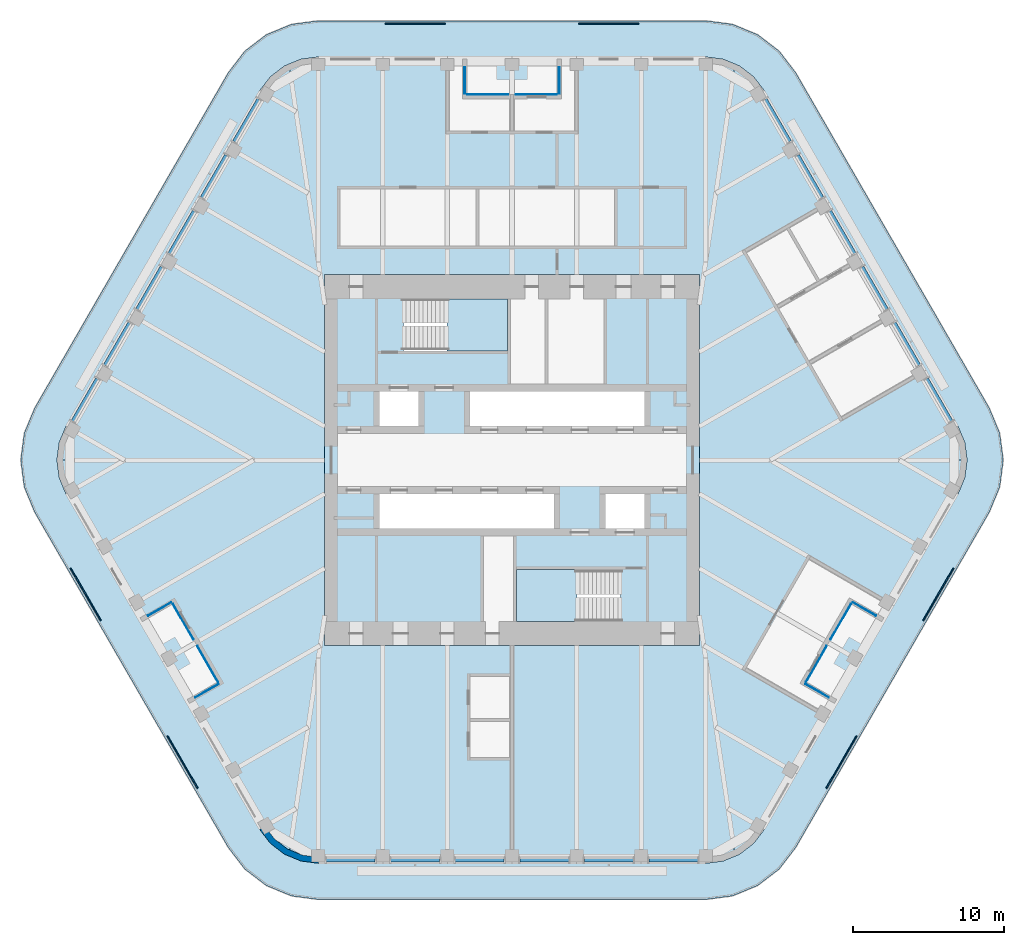
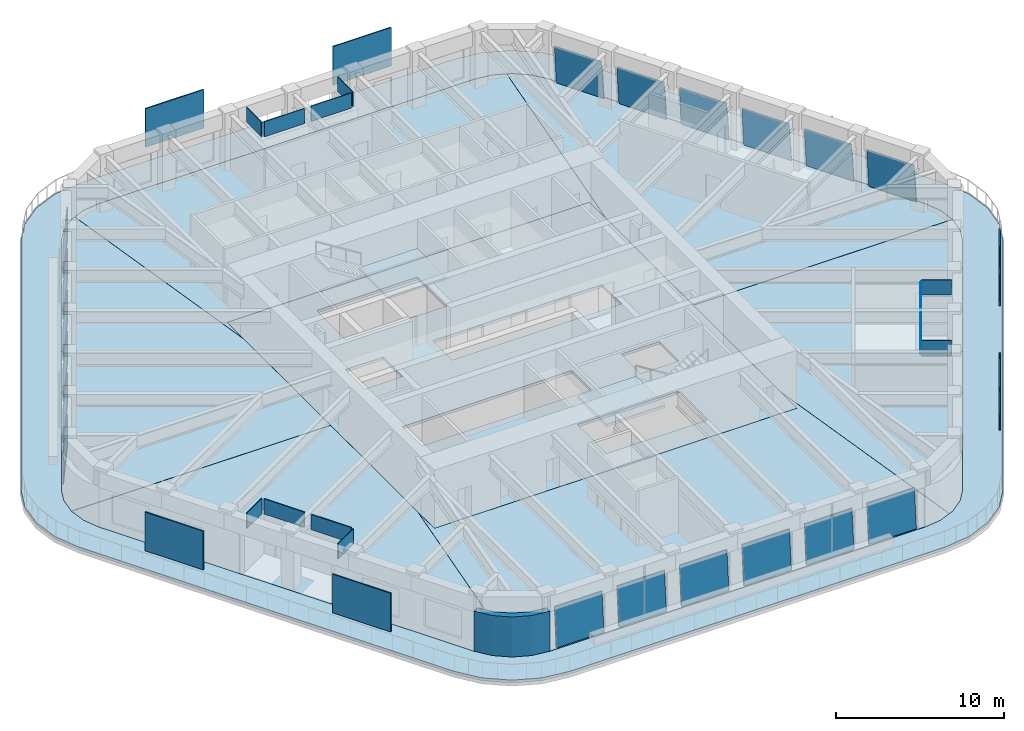
# One storey, part 12 of 19: 36 plates, 10 slabs, 1 wall, 20 elements without a shape of their own.
"""IFC4 building model written with IfcOpenShell, lengths in metres."""

from ifc_helpers import new_model, si_unit, direction, frame, origin, origin_2d, place, context, subcontext, project, spatial, polyline, rectangle, outline, extrude, material, layer, layer_set, type_object, element, aggregate, save


model = new_model("IFC4")

# Units and contexts
model_context = context("Model", 3, precision=1e-05, world=origin(), true_north=direction((0.0, 1.0)))
body_context = subcontext(model_context, "Body", "Model", "MODEL_VIEW")
ifc_project = project(units=[si_unit("LENGTHUNIT", "METRE"), si_unit("AREAUNIT", "SQUARE_METRE"), si_unit("VOLUMEUNIT", "CUBIC_METRE"), si_unit("PLANEANGLEUNIT", "RADIAN"), si_unit("MASSUNIT", "GRAM", prefix="KILO")], contexts=[model_context])

# Site, building, storey
site_placement = place(None, origin())
site = spatial("IfcSite", under=ifc_project, at=site_placement, CompositionType="ELEMENT")
building_placement = place(site_placement, origin())
building = spatial("IfcBuilding", under=site, at=building_placement, Name="Tarfa Lantern Tower", CompositionType="ELEMENT")
storey_placement = place(building_placement, frame((0.0, 0.0, 370.300048828125)))
storey = spatial("IfcBuildingStorey", under=building, at=storey_placement, Name="L84", CompositionType="ELEMENT", Elevation=370.300048828125)

# Slab
ifc_material_1 = material(Name="Concrete C40/50", Category="concrete")
ifc_layer_1 = layer(ifc_material_1, 0.199951171875)
ifc_layer_set_1 = layer_set([ifc_layer_1], Name="BS2 BALCONY SLAB 200")
slab_type_1 = type_object("IfcSlabType", Name="BS2 BALCONY SLAB 200", PredefinedType="FLOOR", material=ifc_layer_set_1)
slab_1_placement = place(storey_placement, frame((0.0, 0.0, -0.199951171875)))
element("IfcSlab", 1, at=slab_1_placement, inside=storey, type_object=slab_type_1, Name="Balcony L84", PredefinedType="FLOOR", context=body_context, shape_type="SweptSolid", body=[
    extrude(outline(polyline([(31.667724609375, 3.449951171875), (18.821533203125, 25.699951171875), (17.72509765625, 27.129150390625), (16.296142578125, 28.2255859375), (14.6318359375, 28.914794921875), (12.845947265625, 29.14990234375), (-12.845947265625, 29.14990234375), (-14.6318359375, 28.914794921875), (-16.296142578125, 28.2255859375), (-17.72509765625, 27.129150390625), (-18.821533203125, 25.699951171875), (-31.667724609375, 3.449951171875), (-32.35693359375, 1.785888671875), (-32.592041015625, 0.0), (-32.35693359375, -1.785888671875), (-31.667724609375, -3.449951171875), (-18.821533203125, -25.699951171875), (-17.72509765625, -27.129150390625), (-16.296142578125, -28.2255859375), (-14.6318359375, -28.914794921875), (-12.845947265625, -29.14990234375), (12.845947265625, -29.14990234375), (14.6318359375, -28.914794921875), (16.296142578125, -28.2255859375), (17.72509765625, -27.129150390625), (18.821533203125, -25.699951171875), (31.667724609375, -3.449951171875), (32.35693359375, -1.785888671875), (32.592041015625, 0.0), (32.35693359375, 1.785888671875), (31.667724609375, 3.449951171875)]), holes=[polyline([(29.589111328125, 2.25), (16.7431640625, 24.5), (16.028076171875, 25.431884765625), (15.095947265625, 26.147216796875), (14.0107421875, 26.5966796875), (12.845947265625, 26.75), (-12.845947265625, 26.75), (-14.0107421875, 26.5966796875), (-15.095947265625, 26.147216796875), (-16.028076171875, 25.431884765625), (-16.7431640625, 24.5), (-29.589111328125, 2.25), (-30.038818359375, 1.164794921875), (-30.192138671875, 0.0), (-30.038818359375, -1.164794921875), (-29.589111328125, -2.25), (-16.7431640625, -24.5), (-16.028076171875, -25.431884765625), (-15.095947265625, -26.147216796875), (-14.0107421875, -26.5966796875), (-12.845947265625, -26.75), (12.845947265625, -26.75), (14.0107421875, -26.5966796875), (15.095947265625, -26.147216796875), (16.028076171875, -25.431884765625), (16.7431640625, -24.5), (29.589111328125, -2.25), (30.038818359375, -1.164794921875), (30.192138671875, 0.0), (30.038818359375, 1.164794921875), (29.589111328125, 2.25)])]), origin(), (0.0, 0.0, 1.0), 0.199951171875),
])

# Curtain wall, plate
ifc_material_2 = material(Name="Aluminium framed curtain wall", Category="aluminium")
curtain_wall_type = type_object("IfcCurtainWallType", Name="CW4 CANTED GLAZING EXECUTIVE ZONE 2900", PredefinedType="USERDEFINED", material=ifc_material_2)
curtain_wall_1_placement = place(storey_placement, origin())
curtain_wall_1 = element("IfcCurtainWall", 2, at=curtain_wall_1_placement, inside=storey, type_object=curtain_wall_type, Name="CW4 NE L84", ObjectType="CURTAIN WALL", PredefinedType="USERDEFINED")
ifc_material_3 = material(Name="Laminated double glazing", Category="glass")
ifc_layer_2 = layer(ifc_material_3, 0.028076171875)
ifc_layer_set_2 = layer_set([ifc_layer_2], Name="CWP1 DOUBLE GLAZED PANEL")
plate_type_1 = type_object("IfcPlateType", Name="CWP1 DOUBLE GLAZED PANEL", PredefinedType="CURTAIN_PANEL", material=ifc_layer_set_2)
plate_1_placement = place(storey_placement, frame((29.2451171875, 2.64599609375, 0.0), z_axis=(0.862825639539, 0.498150817852, 0.085893413177), x_axis=(-0.499998527034, 0.866026254198, -1.606095e-06)))
plate_1 = element("IfcPlate", 3, at=plate_1_placement, type_object=plate_type_1, Name="CW4 panel 1.1", PredefinedType="CURTAIN_PANEL", context=body_context, shape_type="SweptSolid", body=[
    extrude(outline(polyline([(0.0, 0.0), (3.2520676412308207, 1.3877787807814457e-17), (3.251970209495446, 2.8454821182411227), (0.00011400045559208601, 2.845471633574548), (0.0, 0.0)])), origin(), (0.0, 0.0, -1.0), 0.028076171875),
])
aggregate(curtain_wall_1, [plate_1])

curtain_wall_2_placement = place(storey_placement, origin())
curtain_wall_2 = element("IfcCurtainWall", 4, at=curtain_wall_2_placement, inside=storey, type_object=curtain_wall_type, Name="CW4 NE L84", ObjectType="CURTAIN WALL", PredefinedType="USERDEFINED")
plate_2_placement = place(storey_placement, frame((27.10400390625, 6.354248046875, 0.0), z_axis=(0.862836578146, 0.498135541821, 0.085872122301), x_axis=(-0.499982393232, 0.866035568818, 0.0)))
plate_2 = element("IfcPlate", 5, at=plate_2_placement, type_object=plate_type_1, Name="CW4 panel 1.1", PredefinedType="CURTAIN_PANEL", context=body_context, shape_type="SweptSolid", body=[
    extrude(outline(polyline([(0.0, 0.0), (3.252067641799349, -1.3877787807814457e-17), (3.2521816433919786, 2.8454716342242685), (0.00011400159262917042, 2.8454716342242685), (0.0, 0.0)])), origin(), (0.0, 0.0, -1.0), 0.028076171875),
])
aggregate(curtain_wall_2, [plate_2])

curtain_wall_3_placement = place(storey_placement, origin())
curtain_wall_3 = element("IfcCurtainWall", 6, at=curtain_wall_3_placement, inside=storey, type_object=curtain_wall_type, Name="CW4 NE L84", ObjectType="CURTAIN WALL", PredefinedType="USERDEFINED")
plate_3_placement = place(storey_placement, frame((24.963134765625, 10.062744140625, 0.0), z_axis=(0.862825639539, 0.498150817852, 0.085893413177), x_axis=(-0.49999876687, 0.86602611573, 1.606199e-06)))
plate_3 = element("IfcPlate", 7, at=plate_3_placement, type_object=plate_type_1, Name="CW4 panel 1.1", PredefinedType="CURTAIN_PANEL", context=body_context, shape_type="SweptSolid", body=[
    extrude(outline(polyline([(0.0, 0.0), (3.2518562090567564, 1.3877787807814457e-17), (3.251979383909802, 2.8454716331921968), (-8.825730411465393e-05, 2.845482118540473), (0.0, 0.0)])), origin(), (0.0, 0.0, -1.0), 0.028076171875),
])
aggregate(curtain_wall_3, [plate_3])

curtain_wall_4_placement = place(storey_placement, origin())
curtain_wall_4 = element("IfcCurtainWall", 8, at=curtain_wall_4_placement, inside=storey, type_object=curtain_wall_type, Name="CW4 NE L84", ObjectType="CURTAIN WALL", PredefinedType="USERDEFINED")
plate_4_placement = place(storey_placement, frame((22.822021484375, 13.77099609375, 0.0), z_axis=(0.862825639539, 0.498150817852, 0.085893413177), x_axis=(-0.499998527034, 0.866026254198, -1.606095e-06)))
plate_4 = element("IfcPlate", 9, at=plate_4_placement, type_object=plate_type_1, Name="CW4 panel 1.1", PredefinedType="CURTAIN_PANEL", context=body_context, shape_type="SweptSolid", body=[
    extrude(outline(polyline([(0.0, 0.0), (3.2520676412308207, 1.3877787807814457e-17), (3.251970209495446, 2.8454821182411227), (0.00011400045559208601, 2.845471633574548), (0.0, 0.0)])), origin(), (0.0, 0.0, -1.0), 0.028076171875),
])
aggregate(curtain_wall_4, [plate_4])

curtain_wall_5_placement = place(storey_placement, origin())
curtain_wall_5 = element("IfcCurtainWall", 10, at=curtain_wall_5_placement, inside=storey, type_object=curtain_wall_type, Name="CW4 NE L84", ObjectType="CURTAIN WALL", PredefinedType="USERDEFINED")
plate_5_placement = place(storey_placement, frame((20.68115234375, 17.479248046875, 0.0), z_axis=(0.862836578146, 0.498135541821, 0.085872122301), x_axis=(-0.499982393232, 0.866035568818, 0.0)))
plate_5 = element("IfcPlate", 11, at=plate_5_placement, type_object=plate_type_1, Name="CW4 panel 1.1", PredefinedType="CURTAIN_PANEL", context=body_context, shape_type="SweptSolid", body=[
    extrude(outline(polyline([(0.0, 0.0), (3.252067641799349, -1.3877787807814457e-17), (3.2521816433919786, 2.8454716342242685), (0.00011400159262917042, 2.8454716342242685), (0.0, 0.0)])), origin(), (0.0, 0.0, -1.0), 0.028076171875),
])
aggregate(curtain_wall_5, [plate_5])

curtain_wall_6_placement = place(storey_placement, origin())
curtain_wall_6 = element("IfcCurtainWall", 12, at=curtain_wall_6_placement, inside=storey, type_object=curtain_wall_type, Name="CW4 NE L84", ObjectType="CURTAIN WALL", PredefinedType="USERDEFINED")
plate_6_placement = place(storey_placement, frame((18.5400390625, 21.187744140625, 0.0), z_axis=(0.862825639539, 0.498150817852, 0.085893413177), x_axis=(-0.49999876687, 0.86602611573, 1.606199e-06)))
plate_6 = element("IfcPlate", 13, at=plate_6_placement, type_object=plate_type_1, Name="CW4 panel 1.1", PredefinedType="CURTAIN_PANEL", context=body_context, shape_type="SweptSolid", body=[
    extrude(outline(polyline([(0.0, 0.0), (3.2518562090567564, 1.3877787807814457e-17), (3.251979383909802, 2.8454716331921968), (-8.825730411465393e-05, 2.845482118540473), (0.0, 0.0)])), origin(), (0.0, 0.0, -1.0), 0.028076171875),
])
aggregate(curtain_wall_6, [plate_6])

curtain_wall_7_placement = place(storey_placement, origin())
curtain_wall_7 = element("IfcCurtainWall", 14, at=curtain_wall_7_placement, inside=storey, type_object=curtain_wall_type, Name="CW4 NW L84", ObjectType="CURTAIN WALL", PredefinedType="USERDEFINED")
plate_7_placement = place(storey_placement, frame((-16.9140625, 24.00390625, 0.0), z_axis=(-0.862825639539, 0.498150817852, 0.085893413177), x_axis=(-0.49999876687, -0.86602611573, -1.606199e-06)))
plate_7 = element("IfcPlate", 15, at=plate_7_placement, type_object=plate_type_1, Name="CW4 panel 1.1", PredefinedType="CURTAIN_PANEL", context=body_context, shape_type="SweptSolid", body=[
    extrude(outline(polyline([(0.0, 0.0), (3.2518562090567564, -1.3877787807814457e-17), (3.251944466360871, 2.845482118540473), (-0.00012317485304587817, 2.8454716331921968), (0.0, 0.0)])), origin(), (0.0, 0.0, -1.0), 0.028076171875),
])
aggregate(curtain_wall_7, [plate_7])

curtain_wall_8_placement = place(storey_placement, origin())
curtain_wall_8 = element("IfcCurtainWall", 16, at=curtain_wall_8_placement, inside=storey, type_object=curtain_wall_type, Name="CW4 NW L84", ObjectType="CURTAIN WALL", PredefinedType="USERDEFINED")
plate_8_placement = place(storey_placement, frame((-19.05517578125, 20.295654296875, 0.0), z_axis=(-0.862836578146, 0.498135541821, 0.085872122301), x_axis=(-0.499982393232, -0.866035568818, 0.0)))
plate_8 = element("IfcPlate", 17, at=plate_8_placement, type_object=plate_type_1, Name="CW4 panel 1.1", PredefinedType="CURTAIN_PANEL", context=body_context, shape_type="SweptSolid", body=[
    extrude(outline(polyline([(0.0, 0.0), (3.252067641799349, 1.3877787807814457e-17), (3.25195364020672, 2.8454716342242685), (-0.00011400159262917042, 2.8454716342242685), (0.0, 0.0)])), origin(), (0.0, 0.0, -1.0), 0.028076171875),
])
aggregate(curtain_wall_8, [plate_8])

curtain_wall_9_placement = place(storey_placement, origin())
curtain_wall_9 = element("IfcCurtainWall", 18, at=curtain_wall_9_placement, inside=storey, type_object=curtain_wall_type, Name="CW4 NW L84", ObjectType="CURTAIN WALL", PredefinedType="USERDEFINED")
plate_9_placement = place(storey_placement, frame((-21.196044921875, 16.58740234375, 0.0), z_axis=(-0.862825639539, 0.498150817852, 0.085893413177), x_axis=(-0.499998527034, -0.866026254198, 1.606095e-06)))
plate_9 = element("IfcPlate", 19, at=plate_9_placement, type_object=plate_type_1, Name="CW4 panel 1.1", PredefinedType="CURTAIN_PANEL", context=body_context, shape_type="SweptSolid", body=[
    extrude(outline(polyline([(0.0, 0.0), (3.2520676412308207, -1.3877787807814457e-17), (3.2519536407752287, 2.845471633574548), (9.74317353742931e-05, 2.8454821182411227), (0.0, 0.0)])), origin(), (0.0, 0.0, -1.0), 0.028076171875),
])
aggregate(curtain_wall_9, [plate_9])

curtain_wall_10_placement = place(storey_placement, origin())
curtain_wall_10 = element("IfcCurtainWall", 20, at=curtain_wall_10_placement, inside=storey, type_object=curtain_wall_type, Name="CW4 NW L84", ObjectType="CURTAIN WALL", PredefinedType="USERDEFINED")
plate_10_placement = place(storey_placement, frame((-23.337158203125, 12.87890625, 0.0), z_axis=(-0.862825639539, 0.498150817852, 0.085893413177), x_axis=(-0.49999876687, -0.86602611573, -1.606199e-06)))
plate_10 = element("IfcPlate", 21, at=plate_10_placement, type_object=plate_type_1, Name="CW4 panel 1.1", PredefinedType="CURTAIN_PANEL", context=body_context, shape_type="SweptSolid", body=[
    extrude(outline(polyline([(0.0, 0.0), (3.2518562090567564, -1.3877787807814457e-17), (3.251944466360871, 2.845482118540473), (-0.00012317485304587817, 2.8454716331921968), (0.0, 0.0)])), origin(), (0.0, 0.0, -1.0), 0.028076171875),
])
aggregate(curtain_wall_10, [plate_10])

curtain_wall_11_placement = place(storey_placement, origin())
curtain_wall_11 = element("IfcCurtainWall", 22, at=curtain_wall_11_placement, inside=storey, type_object=curtain_wall_type, Name="CW4 NW L84", ObjectType="CURTAIN WALL", PredefinedType="USERDEFINED")
plate_11_placement = place(storey_placement, frame((-25.47802734375, 9.170654296875, 0.0), z_axis=(-0.862836578146, 0.498135541821, 0.085872122301), x_axis=(-0.499982393232, -0.866035568818, 0.0)))
plate_11 = element("IfcPlate", 23, at=plate_11_placement, type_object=plate_type_1, Name="CW4 panel 1.1", PredefinedType="CURTAIN_PANEL", context=body_context, shape_type="SweptSolid", body=[
    extrude(outline(polyline([(0.0, 0.0), (3.252067641799349, 1.3877787807814457e-17), (3.25195364020672, 2.8454716342242685), (-0.00011400159262917042, 2.8454716342242685), (0.0, 0.0)])), origin(), (0.0, 0.0, -1.0), 0.028076171875),
])
aggregate(curtain_wall_11, [plate_11])

curtain_wall_12_placement = place(storey_placement, origin())
curtain_wall_12 = element("IfcCurtainWall", 24, at=curtain_wall_12_placement, inside=storey, type_object=curtain_wall_type, Name="CW4 NW L84", ObjectType="CURTAIN WALL", PredefinedType="USERDEFINED")
plate_12_placement = place(storey_placement, frame((-27.619140625, 5.46240234375, 0.0), z_axis=(-0.862825639539, 0.498150817852, 0.085893413177), x_axis=(-0.499998527034, -0.866026254198, 1.606095e-06)))
plate_12 = element("IfcPlate", 25, at=plate_12_placement, type_object=plate_type_1, Name="CW4 panel 1.1", PredefinedType="CURTAIN_PANEL", context=body_context, shape_type="SweptSolid", body=[
    extrude(outline(polyline([(0.0, 0.0), (3.2520676412308207, -1.3877787807814457e-17), (3.2519536407752287, 2.845471633574548), (9.74317353742931e-05, 2.8454821182411227), (0.0, 0.0)])), origin(), (0.0, 0.0, -1.0), 0.028076171875),
])
aggregate(curtain_wall_12, [plate_12])

curtain_wall_13_placement = place(storey_placement, origin())
curtain_wall_13 = element("IfcCurtainWall", 26, at=curtain_wall_13_placement, inside=storey, type_object=curtain_wall_type, Name="CW4 S L84", ObjectType="CURTAIN WALL", PredefinedType="USERDEFINED")
plate_13_placement = place(storey_placement, frame((-12.3310546875, -26.64990234375, 0.0), z_axis=(0.0, -0.996305022141, 0.085885405371), x_axis=(1.0, 0.0, 0.0)))
plate_13 = element("IfcPlate", 27, at=plate_13_placement, type_object=plate_type_1, Name="CW4 panel 1.1", PredefinedType="CURTAIN_PANEL", context=body_context, shape_type="SweptSolid", body=[
    extrude(outline(polyline([(0.0, 0.0), (3.251953125, 0.0), (3.251953125, 2.8454749042682606), (0.0, 2.8454749042682606), (0.0, 0.0)])), origin(), (0.0, 0.0, -1.0), 0.028076171875),
])
aggregate(curtain_wall_13, [plate_13])

curtain_wall_14_placement = place(storey_placement, origin())
curtain_wall_14 = element("IfcCurtainWall", 28, at=curtain_wall_14_placement, inside=storey, type_object=curtain_wall_type, Name="CW4 S L84", ObjectType="CURTAIN WALL", PredefinedType="USERDEFINED")
plate_14_placement = place(storey_placement, frame((-8.049072265625, -26.64990234375, 0.0), z_axis=(0.0, -0.996305022141, 0.085885405371), x_axis=(1.0, 0.0, 0.0)))
plate_14 = element("IfcPlate", 29, at=plate_14_placement, type_object=plate_type_1, Name="CW4 panel 1.1", PredefinedType="CURTAIN_PANEL", context=body_context, shape_type="SweptSolid", body=[
    extrude(outline(polyline([(0.0, 0.0), (3.251953125, 0.0), (3.251953125, 2.8454749042682606), (0.0, 2.8454749042682606), (0.0, 0.0)])), origin(), (0.0, 0.0, -1.0), 0.028076171875),
])
aggregate(curtain_wall_14, [plate_14])

curtain_wall_15_placement = place(storey_placement, origin())
curtain_wall_15 = element("IfcCurtainWall", 30, at=curtain_wall_15_placement, inside=storey, type_object=curtain_wall_type, Name="CW4 S L84", ObjectType="CURTAIN WALL", PredefinedType="USERDEFINED")
plate_15_placement = place(storey_placement, frame((-3.76708984375, -26.64990234375, 0.0), z_axis=(0.0, -0.996305022141, 0.085885405371), x_axis=(1.0, 0.0, 0.0)))
plate_15 = element("IfcPlate", 31, at=plate_15_placement, type_object=plate_type_1, Name="CW4 panel 1.1", PredefinedType="CURTAIN_PANEL", context=body_context, shape_type="SweptSolid", body=[
    extrude(outline(polyline([(0.0, 0.0), (3.252197265625, 0.0), (3.252197265625, 2.8454749042682606), (0.0, 2.8454749042682606), (0.0, 0.0)])), origin(), (0.0, 0.0, -1.0), 0.028076171875),
])
aggregate(curtain_wall_15, [plate_15])

curtain_wall_16_placement = place(storey_placement, origin())
curtain_wall_16 = element("IfcCurtainWall", 32, at=curtain_wall_16_placement, inside=storey, type_object=curtain_wall_type, Name="CW4 S L84", ObjectType="CURTAIN WALL", PredefinedType="USERDEFINED")
plate_16_placement = place(storey_placement, frame((0.514892578125, -26.64990234375, 0.0), z_axis=(0.0, -0.996305022141, 0.085885405371), x_axis=(1.0, 0.0, 0.0)))
plate_16 = element("IfcPlate", 33, at=plate_16_placement, type_object=plate_type_1, Name="CW4 panel 1.1", PredefinedType="CURTAIN_PANEL", context=body_context, shape_type="SweptSolid", body=[
    extrude(outline(polyline([(0.0, 0.0), (3.252197265625, 0.0), (3.252197265625, 2.8454749042682606), (0.0, 2.8454749042682606), (0.0, 0.0)])), origin(), (0.0, 0.0, -1.0), 0.028076171875),
])
aggregate(curtain_wall_16, [plate_16])

curtain_wall_17_placement = place(storey_placement, origin())
curtain_wall_17 = element("IfcCurtainWall", 34, at=curtain_wall_17_placement, inside=storey, type_object=curtain_wall_type, Name="CW4 S L84", ObjectType="CURTAIN WALL", PredefinedType="USERDEFINED")
plate_17_placement = place(storey_placement, frame((4.797119140625, -26.64990234375, 0.0), z_axis=(0.0, -0.996305022141, 0.085885405371), x_axis=(1.0, 0.0, 0.0)))
plate_17 = element("IfcPlate", 35, at=plate_17_placement, type_object=plate_type_1, Name="CW4 panel 1.1", PredefinedType="CURTAIN_PANEL", context=body_context, shape_type="SweptSolid", body=[
    extrude(outline(polyline([(0.0, 0.0), (3.251953125, 0.0), (3.251953125, 2.8454749042682606), (0.0, 2.8454749042682606), (0.0, 0.0)])), origin(), (0.0, 0.0, -1.0), 0.028076171875),
])
aggregate(curtain_wall_17, [plate_17])

curtain_wall_18_placement = place(storey_placement, origin())
curtain_wall_18 = element("IfcCurtainWall", 36, at=curtain_wall_18_placement, inside=storey, type_object=curtain_wall_type, Name="CW4 S L84", ObjectType="CURTAIN WALL", PredefinedType="USERDEFINED")
plate_18_placement = place(storey_placement, frame((9.0791015625, -26.64990234375, 0.0), z_axis=(0.0, -0.996305022141, 0.085885405371), x_axis=(1.0, 0.0, 0.0)))
plate_18 = element("IfcPlate", 37, at=plate_18_placement, type_object=plate_type_1, Name="CW4 panel 1.1", PredefinedType="CURTAIN_PANEL", context=body_context, shape_type="SweptSolid", body=[
    extrude(outline(polyline([(0.0, 0.0), (3.251953125, 0.0), (3.251953125, 2.8454749042682606), (0.0, 2.8454749042682606), (0.0, 0.0)])), origin(), (0.0, 0.0, -1.0), 0.028076171875),
])
aggregate(curtain_wall_18, [plate_18])

# Slabs
ifc_layer_3 = layer(ifc_material_1, 0.199951171875)
ifc_layer_set_3 = layer_set([ifc_layer_3], Name="FS1 FLOOR SLAB 200")
slab_type_2 = type_object("IfcSlabType", Name="FS1 FLOOR SLAB 200", PredefinedType="FLOOR", material=ifc_layer_set_3)
slab_2_placement = place(storey_placement, frame((0.0, 0.0, -0.199951171875)))
element("IfcSlab", 38, at=slab_2_placement, inside=storey, type_object=slab_type_2, Name="Floor slab L84", PredefinedType="FLOOR", context=body_context, shape_type="SweptSolid", body=[
    extrude(outline(polyline([(-12.425048828125, -12.300048828125), (12.425048828125, -12.300048828125), (12.425048828125, 12.300048828125), (-12.425048828125, 12.300048828125), (-12.425048828125, -12.300048828125)]), holes=[polyline([(-8.800048828125, 2.25), (-6.199951171875, 2.25), (-6.199951171875, 4.550048828125), (-8.800048828125, 4.550048828125), (-8.800048828125, 2.25)]), polyline([(-2.800048828125, 2.25), (8.800048828125, 2.25), (8.800048828125, 4.550048828125), (-2.800048828125, 4.550048828125), (-2.800048828125, 2.25)]), polyline([(8.800048828125, -2.25), (6.199951171875, -2.25), (6.199951171875, -4.550048828125), (8.800048828125, -4.550048828125), (8.800048828125, -2.25)]), polyline([(2.800048828125, -2.25), (-8.800048828125, -2.25), (-8.800048828125, -4.550048828125), (2.800048828125, -4.550048828125), (2.800048828125, -2.25)]), polyline([(-7.199951171875, 7.25), (-0.300048828125, 7.25), (-0.300048828125, 10.699951171875), (-7.199951171875, 10.699951171875), (-7.199951171875, 7.25)]), polyline([(7.199951171875, -7.25), (0.300048828125, -7.25), (0.300048828125, -10.699951171875), (7.199951171875, -10.699951171875), (7.199951171875, -7.25)])]), origin(), (0.0, 0.0, 1.0), 0.199951171875),
])
slab_3_placement = place(storey_placement, frame((0.0, 0.0, -0.199951171875)))
element("IfcSlab", 39, at=slab_3_placement, inside=storey, type_object=slab_type_2, Name="Floor slab L84 NE bay", PredefinedType="FLOOR", context=body_context, shape_type="SweptSolid", body=[
    extrude(outline(polyline([(29.58740234375, 2.2490234375), (16.741455078125, 24.498779296875), (16.026611328125, 25.4306640625), (15.094970703125, 26.145263671875), (14.802001953125, 26.2666015625), (12.427001953125, 10.2998046875), (12.427001953125, 0.001953125), (30.189697265625, 0.001953125), (30.036865234375, 1.1640625), (29.58740234375, 2.2490234375)])), origin(), (0.0, 0.0, 1.0), 0.199951171875),
])
slab_4_placement = place(storey_placement, frame((0.0, 0.0, -0.199951171875)))
element("IfcSlab", 40, at=slab_4_placement, inside=storey, type_object=slab_type_2, Name="Floor slab L84 N bay", PredefinedType="FLOOR", context=body_context, shape_type="SweptSolid", body=[
    extrude(outline(polyline([(-12.427001953125, 10.3271484375), (-12.427001953125, 12.302001953125), (12.427001953125, 12.302001953125), (12.427001953125, 10.3271484375), (14.79833984375, 26.268310546875), (14.01025390625, 26.5947265625), (12.845947265625, 26.748046875), (-12.845947265625, 26.748046875), (-14.01025390625, 26.5947265625), (-14.79833984375, 26.268310546875), (-12.427001953125, 10.3271484375)])), origin(), (0.0, 0.0, 1.0), 0.199951171875),
])
slab_5_placement = place(storey_placement, frame((0.0, 0.0, -0.199951171875)))
element("IfcSlab", 41, at=slab_5_placement, inside=storey, type_object=slab_type_2, Name="Floor slab L84 NW bay", PredefinedType="FLOOR", context=body_context, shape_type="SweptSolid", body=[
    extrude(outline(polyline([(-12.427001953125, 0.001953125), (-12.427001953125, 10.2998046875), (-14.802001953125, 26.2666015625), (-15.094970703125, 26.145263671875), (-16.026611328125, 25.4306640625), (-16.741455078125, 24.498779296875), (-29.58740234375, 2.2490234375), (-30.036865234375, 1.1640625), (-30.189697265625, 0.001953125), (-12.427001953125, 0.001953125)])), origin(), (0.0, 0.0, 1.0), 0.199951171875),
])
slab_6_placement = place(storey_placement, frame((0.0, 0.0, -0.199951171875)))
element("IfcSlab", 42, at=slab_6_placement, inside=storey, type_object=slab_type_2, Name="Floor slab L84 SW bay", PredefinedType="FLOOR", context=body_context, shape_type="SweptSolid", body=[
    extrude(outline(polyline([(-12.427001953125, -10.2998046875), (-12.427001953125, -0.001953125), (-30.189697265625, -0.001953125), (-30.036865234375, -1.1640625), (-29.58740234375, -2.2490234375), (-16.741455078125, -24.498779296875), (-16.026611328125, -25.4306640625), (-15.094970703125, -26.145263671875), (-14.802001953125, -26.2666015625), (-12.427001953125, -10.2998046875)])), origin(), (0.0, 0.0, 1.0), 0.199951171875),
])
slab_7_placement = place(storey_placement, frame((0.0, 0.0, -0.199951171875)))
element("IfcSlab", 43, at=slab_7_placement, inside=storey, type_object=slab_type_2, Name="Floor slab L84 S bay", PredefinedType="FLOOR", context=body_context, shape_type="SweptSolid", body=[
    extrude(outline(polyline([(12.427001953125, -10.3271484375), (12.427001953125, -12.302001953125), (-12.427001953125, -12.302001953125), (-12.427001953125, -10.3271484375), (-14.79833984375, -26.268310546875), (-14.01025390625, -26.5947265625), (-12.845947265625, -26.748046875), (12.845947265625, -26.748046875), (14.01025390625, -26.5947265625), (14.79833984375, -26.268310546875), (12.427001953125, -10.3271484375)])), origin(), (0.0, 0.0, 1.0), 0.199951171875),
])
slab_8_placement = place(storey_placement, frame((0.0, 0.0, -0.199951171875)))
element("IfcSlab", 44, at=slab_8_placement, inside=storey, type_object=slab_type_2, Name="Floor slab L84 SE bay", PredefinedType="FLOOR", context=body_context, shape_type="SweptSolid", body=[
    extrude(outline(polyline([(12.427001953125, -0.001953125), (12.427001953125, -10.2998046875), (14.802001953125, -26.2666015625), (15.094970703125, -26.145263671875), (16.026611328125, -25.4306640625), (16.741455078125, -24.498779296875), (29.58740234375, -2.2490234375), (30.036865234375, -1.1640625), (30.189697265625, -0.001953125), (12.427001953125, -0.001953125)])), origin(), (0.0, 0.0, 1.0), 0.199951171875),
])

# Plates
ifc_material_4 = material(Name="Aluminium fascia panel", Category="aluminium")
ifc_layer_4 = layer(ifc_material_4, 0.050048828125)
ifc_layer_set_4 = layer_set([ifc_layer_4], Name="LF1 LOGGIA HEAD FASCIA 50")
plate_type_2 = type_object("IfcPlateType", Name="LF1 LOGGIA HEAD FASCIA 50", PredefinedType="USERDEFINED", material=ifc_layer_set_4)
for number, where, z_axis, x_axis, name in (
    (45, (1.615966796875, 24.25, 2.89990234375), (0.0, 0.0, 1.0), (-1.0, 0.0, 0.0), "Terrace head fascia N"),
    (46, (-1.615966796875, 24.25, 2.89990234375), (0.0, 0.0, 1.0), (-1.0, 0.0, 0.0), "Terrace head fascia N"),
):
    element("IfcPlate", number, at=place(storey_placement, frame(where, z_axis=z_axis, x_axis=x_axis)), inside=storey, type_object=plate_type_2, Name=name, ObjectType="FASCIA", PredefinedType="USERDEFINED", context=body_context, shape_type="SweptSolid", body=[
        extrude(rectangle(XDim=2.73193359375, YDim=0.050048828125, at=origin_2d()), origin(), (0.0, 0.0, 1.0), 1.10009765625),
    ])
for number, where, z_axis, x_axis, name in (
    (47, (3.132080078125, 25.18505859375, 2.89990234375), (0.0, 0.0, 1.0), (0.0, -1.0, 0.0), "Terrace head fascia N"),
    (48, (-3.132080078125, 25.18505859375, 2.89990234375), (0.0, 0.0, 1.0), (0.0, -1.0, 0.0), "Terrace head fascia N"),
):
    element("IfcPlate", number, at=place(storey_placement, frame(where, z_axis=z_axis, x_axis=x_axis)), inside=storey, type_object=plate_type_2, Name=name, ObjectType="FASCIA", PredefinedType="USERDEFINED", context=body_context, shape_type="SweptSolid", body=[
        extrude(rectangle(XDim=1.77001953125, YDim=0.050048828125, at=origin_2d()), origin(), (0.0, 0.0, 1.0), 1.10009765625),
    ])
for number, where, z_axis, x_axis, name in (
    (49, (-21.80908203125, -10.7255859375, 2.89990234375), (0.0, 0.0, 1.0), (0.5, -0.866025403784, 0.0), "Terrace head fascia SW"),
    (50, (-20.193115234375, -13.5244140625, 2.89990234375), (0.0, 0.0, 1.0), (0.5, -0.866025403784, 0.0), "Terrace head fascia SW"),
):
    element("IfcPlate", number, at=place(storey_placement, frame(where, z_axis=z_axis, x_axis=x_axis)), inside=storey, type_object=plate_type_2, Name=name, ObjectType="FASCIA", PredefinedType="USERDEFINED", context=body_context, shape_type="SweptSolid", body=[
        extrude(rectangle(XDim=2.73193359375, YDim=0.050048828125, at=origin_2d()), origin(), (0.0, 0.0, 1.0), 1.10009765625),
    ])
for number, where, z_axis, x_axis, name in (
    (51, (-23.376953125, -9.880126953125, 2.89990234375), (0.0, 0.0, 1.0), (0.866025403784, 0.5, 0.0), "Terrace head fascia SW"),
    (52, (-20.244873046875, -15.304931640625, 2.89990234375), (0.0, 0.0, 1.0), (0.866025403784, 0.5, 0.0), "Terrace head fascia SW"),
):
    element("IfcPlate", number, at=place(storey_placement, frame(where, z_axis=z_axis, x_axis=x_axis)), inside=storey, type_object=plate_type_2, Name=name, ObjectType="FASCIA", PredefinedType="USERDEFINED", context=body_context, shape_type="SweptSolid", body=[
        extrude(rectangle(XDim=1.77001953125, YDim=0.050048828125, at=origin_2d()), origin(), (0.0, 0.0, 1.0), 1.10009765625),
    ])
for number, where, z_axis, x_axis, name in (
    (53, (20.193115234375, -13.5244140625, 2.89990234375), (0.0, 0.0, 1.0), (0.5, 0.866025403784, 0.0), "Terrace head fascia SE"),
    (54, (21.80908203125, -10.7255859375, 2.89990234375), (0.0, 0.0, 1.0), (0.5, 0.866025403784, 0.0), "Terrace head fascia SE"),
):
    element("IfcPlate", number, at=place(storey_placement, frame(where, z_axis=z_axis, x_axis=x_axis)), inside=storey, type_object=plate_type_2, Name=name, ObjectType="FASCIA", PredefinedType="USERDEFINED", context=body_context, shape_type="SweptSolid", body=[
        extrude(rectangle(XDim=2.73193359375, YDim=0.050048828125, at=origin_2d()), origin(), (0.0, 0.0, 1.0), 1.10009765625),
    ])
for number, where, z_axis, x_axis, name in (
    (55, (20.244873046875, -15.304931640625, 2.89990234375), (0.0, 0.0, 1.0), (-0.866025403784, 0.5, 0.0), "Terrace head fascia SE"),
    (56, (23.376953125, -9.880126953125, 2.89990234375), (0.0, 0.0, 1.0), (-0.866025403784, 0.5, 0.0), "Terrace head fascia SE"),
):
    element("IfcPlate", number, at=place(storey_placement, frame(where, z_axis=z_axis, x_axis=x_axis)), inside=storey, type_object=plate_type_2, Name=name, ObjectType="FASCIA", PredefinedType="USERDEFINED", context=body_context, shape_type="SweptSolid", body=[
        extrude(rectangle(XDim=1.77001953125, YDim=0.050048828125, at=origin_2d()), origin(), (0.0, 0.0, 1.0), 1.10009765625),
    ])
ifc_material_5 = material(Name="Perforated limestone screen", Category="masonry")
ifc_layer_5 = layer(ifc_material_5, 0.080078125)
ifc_layer_set_5 = layer_set([ifc_layer_5], Name="SC1 STONE SCREEN 80")
plate_type_3 = type_object("IfcPlateType", Name="SC1 STONE SCREEN 80", PredefinedType="USERDEFINED", material=ifc_layer_set_5)
for number, where, z_axis, x_axis, name in (
    (57, (6.423095703125, 28.949951171875, 1.19970703125), (0.0, 0.0, 1.0), (-1.0, 0.0, 0.0), "Stone screen N 1"),
    (58, (-6.423095703125, 28.949951171875, 1.19970703125), (0.0, 0.0, 1.0), (-1.0, 0.0, 0.0), "Stone screen N 2"),
    (59, (-28.282958984375, -8.91259765625, 1.19970703125), (0.0, 0.0, 1.0), (0.5, -0.866025403784, 0.0), "Stone screen SW 1"),
    (60, (-21.85986328125, -20.03759765625, 1.19970703125), (0.0, 0.0, 1.0), (0.5, -0.866025403784, 0.0), "Stone screen SW 2"),
    (61, (21.85986328125, -20.03759765625, 1.19970703125), (0.0, 0.0, 1.0), (0.5, 0.866025403784, 0.0), "Stone screen SE 1"),
    (62, (28.282958984375, -8.91259765625, 1.19970703125), (0.0, 0.0, 1.0), (0.5, 0.866025403784, 0.0), "Stone screen SE 2"),
):
    element("IfcPlate", number, at=place(storey_placement, frame(where, z_axis=z_axis, x_axis=x_axis)), inside=storey, type_object=plate_type_3, Name=name, ObjectType="SCREEN", PredefinedType="USERDEFINED", context=body_context, shape_type="SweptSolid", body=[
        extrude(rectangle(XDim=4.0, YDim=0.080078125, at=origin_2d()), origin(), (0.0, 0.0, 1.0), 2.800048828125),
    ])

# Stair, slab
stair_type = type_object("IfcStairType", Name="ST-T10 HALF-TURN STAIR 4200 RISE", PredefinedType="HALF_TURN_STAIR", material=ifc_material_1)
stair_1_placement = place(storey_placement, origin())
stair_1 = element("IfcStair", 63, at=stair_1_placement, inside=storey, type_object=stair_type, Name="Stair ST1", PredefinedType="HALF_TURN_STAIR")
ifc_layer_6 = layer(ifc_material_1, 0.199951171875)
ifc_layer_set_6 = layer_set([ifc_layer_6], Name="SL1 STAIR LANDING 200")
slab_type_3 = type_object("IfcSlabType", Name="SL1 STAIR LANDING 200", PredefinedType="LANDING", material=ifc_layer_set_6)
slab_9_placement = place(storey_placement, frame((0.0, 0.0, 1.89990234375)))
slab_9 = element("IfcSlab", 64, at=slab_9_placement, type_object=slab_type_3, Name="ST1 landing 1", PredefinedType="LANDING", context=body_context, shape_type="SweptSolid", body=[
    extrude(outline(polyline([(-4.320068359375, 7.25), (-0.300048828125, 7.25), (-0.300048828125, 10.699951171875), (-4.320068359375, 10.699951171875), (-4.320068359375, 7.25)])), origin(), (0.0, 0.0, 1.0), 0.199951171875),
])
aggregate(stair_1, [slab_9])

stair_2_placement = place(storey_placement, origin())
stair_2 = element("IfcStair", 65, at=stair_2_placement, inside=storey, type_object=stair_type, Name="Stair ST2", PredefinedType="HALF_TURN_STAIR")
slab_10_placement = place(storey_placement, frame((0.0, 0.0, 1.89990234375)))
slab_10 = element("IfcSlab", 66, at=slab_10_placement, type_object=slab_type_3, Name="ST2 landing 1", PredefinedType="LANDING", context=body_context, shape_type="SweptSolid", body=[
    extrude(outline(polyline([(4.320068359375, -7.25), (0.300048828125, -7.25), (0.300048828125, -10.699951171875), (4.320068359375, -10.699951171875), (4.320068359375, -7.25)])), origin(), (0.0, 0.0, 1.0), 0.199951171875),
])
aggregate(stair_2, [slab_10])

# Wall
ifc_material_6 = material(Name="Limestone cladding on blockwork", Category="masonry")
ifc_layer_7 = layer(ifc_material_6, 0.39990234375)
ifc_layer_set_7 = layer_set([ifc_layer_7], Name="EW2 CURVED STONE CORNER 400")
wall_type = type_object("IfcWallType", Name="EW2 CURVED STONE CORNER 400", PredefinedType="SOLIDWALL", material=ifc_layer_set_7)
wall_placement = place(storey_placement, origin())
element("IfcWall", 67, at=wall_placement, inside=storey, type_object=wall_type, Name="Stone corner SW-S", PredefinedType="SOLIDWALL", context=body_context, shape_type="SweptSolid", body=[
    extrude(outline(polyline([(-16.7431640625, -24.5), (-16.028076171875, -25.431884765625), (-15.095947265625, -26.147216796875), (-14.0107421875, -26.5966796875), (-12.845947265625, -26.75), (-12.845947265625, -26.35009765625), (-13.9072265625, -26.210205078125), (-14.89599609375, -25.80078125), (-15.7451171875, -25.149169921875), (-16.396728515625, -24.300048828125), (-16.7431640625, -24.5)])), origin(), (0.0, 0.0, 1.0), 2.89990234375),
])

save(model, "model.ifc")
